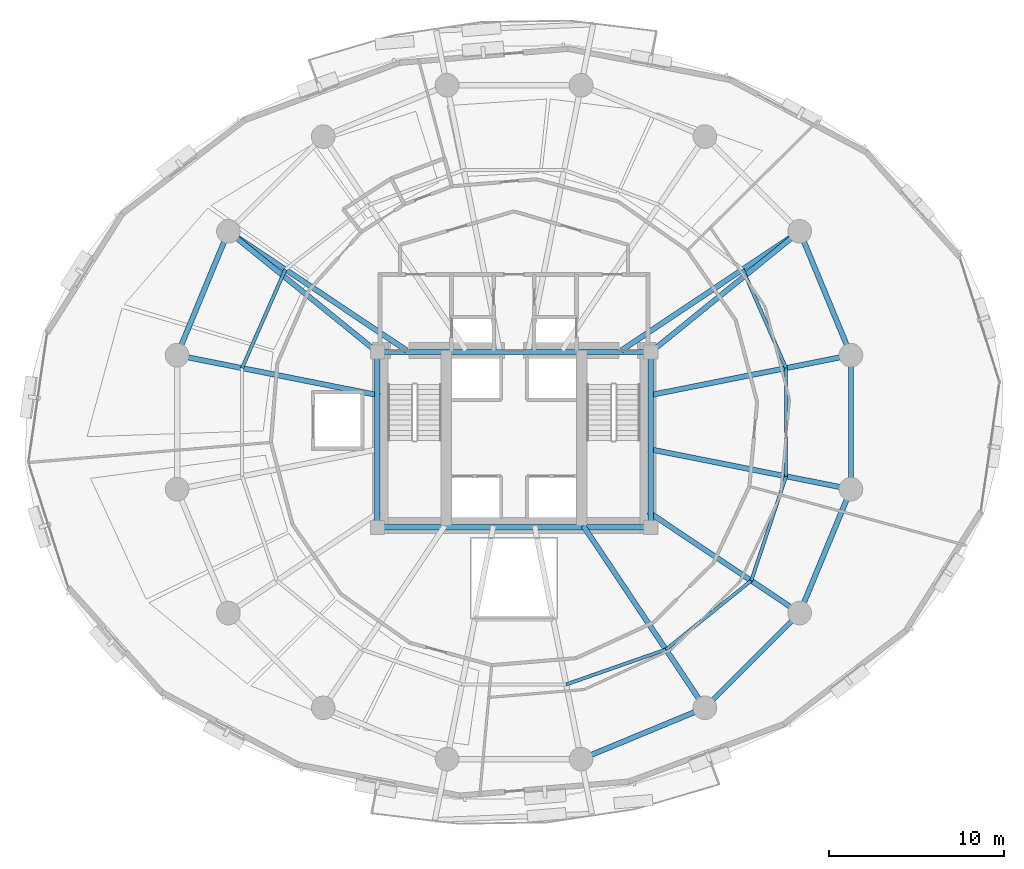
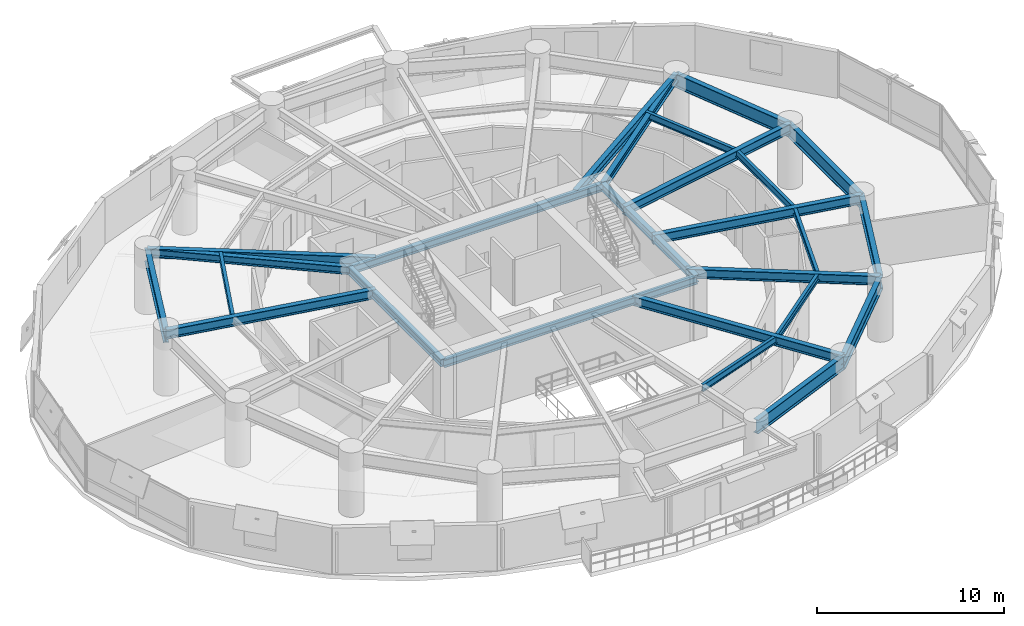
# One storey, part 7 of 16: 25 beams.
"""IFC4 building model written with IfcOpenShell, lengths in metres."""

from ifc_helpers import new_model, si_unit, direction, frame, origin, origin_2d, place, context, subcontext, project, spatial, i_section, extrude, material, material_profile, profile_set, type_object, element, save


model = new_model("IFC4")

# Units and contexts
model_context = context("Model", 3, precision=1e-05, world=origin(), true_north=direction((0.0, 1.0)))
body_context = subcontext(model_context, "Body", "Model", "MODEL_VIEW")
ifc_project = project(units=[si_unit("LENGTHUNIT", "METRE"), si_unit("AREAUNIT", "SQUARE_METRE"), si_unit("VOLUMEUNIT", "CUBIC_METRE"), si_unit("PLANEANGLEUNIT", "RADIAN"), si_unit("MASSUNIT", "GRAM", prefix="KILO"), si_unit("THERMODYNAMICTEMPERATUREUNIT", "KELVIN"), si_unit("POWERUNIT", "WATT")], contexts=[model_context])

# Site, building, storey
site_placement = place(None, origin())
site = spatial("IfcSite", under=ifc_project, at=site_placement, CompositionType="ELEMENT")
building_placement = place(site_placement, origin())
building = spatial("IfcBuilding", under=site, at=building_placement, Name="Ocrelia Relay Tower", CompositionType="ELEMENT")
storey_placement = place(building_placement, frame((0.0, 0.0, 51.0)))
storey = spatial("IfcBuildingStorey", under=building, at=storey_placement, Name="L11", CompositionType="ELEMENT", Elevation=51.0)

# Beams
ifc_material = material(Name="Steel S355", Category="steel")
ifc_material_profile_1 = material_profile(ifc_material, i_section(OverallWidth=0.300048828125, OverallDepth=0.5, WebThickness=0.014404296875, FlangeThickness=0.028076171875, FilletRadius=0.027099609375, at=origin_2d()), Name="HEB 500")
ifc_profile_set_1 = profile_set([ifc_material_profile_1], Name="Steel S355")
beam_type_1 = type_object("IfcBeamType", Name="BM-HEB500", PredefinedType="BEAM", material=ifc_profile_set_1)
for number, where, z_axis, x_axis, name in (
    (1, (26.199951171875, 20.0, 3.669921875), (1.0, 0.0, 0.0), (0.0, 1.0, 0.0), "L11 Core Pilaster Tie Beam S"),
    (2, (26.199951171875, 30.0, 3.669921875), (1.0, 0.0, 0.0), (0.0, 1.0, 0.0), "L11 Core Pilaster Tie Beam N"),
):
    element("IfcBeam", number, at=place(storey_placement, frame(where, z_axis=z_axis, x_axis=x_axis)), inside=storey, type_object=beam_type_1, Name=name, PredefinedType="BEAM", context=body_context, shape_type="SweptSolid", body=[
        extrude(i_section(OverallWidth=0.300048828125, OverallDepth=0.5, WebThickness=0.014404296875, FlangeThickness=0.028076171875, FilletRadius=0.027099609375, at=origin_2d()), origin(), (0.0, 0.0, 1.0), 15.60009765625),
    ])
for number, where, z_axis, x_axis, name in (
    (3, (26.199951171875, 20.0, 3.669921875), (0.0, 1.0, 0.0), (-1.0, 0.0, 0.0), "L11 Core Pilaster Tie Beam W"),
    (4, (41.800048828125, 20.0, 3.669921875), (0.0, 1.0, 0.0), (-1.0, 0.0, 0.0), "L11 Core Pilaster Tie Beam E"),
):
    element("IfcBeam", number, at=place(storey_placement, frame(where, z_axis=z_axis, x_axis=x_axis)), inside=storey, type_object=beam_type_1, Name=name, PredefinedType="BEAM", context=body_context, shape_type="SweptSolid", body=[
        extrude(i_section(OverallWidth=0.300048828125, OverallDepth=0.5, WebThickness=0.014404296875, FlangeThickness=0.028076171875, FilletRadius=0.027099609375, at=origin_2d()), origin(), (0.0, 0.0, 1.0), 10.0),
    ])
for number, where, z_axis, x_axis, name in (
    (5, (50.296875, 36.88916015625, 3.669921875), (-0.776762830896, -0.629793223637, 0.0), (0.629793223637, -0.776762830896, 0.0), "L11 Core Pilaster Frame Tie Beam PT02"),
    (6, (17.703125, 36.88916015625, 3.669921875), (0.776762830896, -0.629793223637, 0.0), (0.629793223637, 0.776762830896, 0.0), "L11 Core Pilaster Frame Tie Beam PT07"),
):
    element("IfcBeam", number, at=place(storey_placement, frame(where, z_axis=z_axis, x_axis=x_axis)), inside=storey, type_object=beam_type_1, Name=name, PredefinedType="BEAM", context=body_context, shape_type="SweptSolid", body=[
        extrude(i_section(OverallWidth=0.300048828125, OverallDepth=0.5, WebThickness=0.014404296875, FlangeThickness=0.028076171875, FilletRadius=0.027099609375, at=origin_2d()), origin(), (0.0, 0.0, 1.0), 10.938720703125),
    ])
ifc_material_profile_2 = material_profile(ifc_material, i_section(OverallWidth=0.300048828125, OverallDepth=0.60009765625, WebThickness=0.015380859375, FlangeThickness=0.030029296875, FilletRadius=0.027099609375, at=origin_2d()), Name="HEB 600")
ifc_profile_set_2 = profile_set([ifc_material_profile_2], Name="Steel S355")
beam_type_2 = type_object("IfcBeamType", Name="BM-HEB600", PredefinedType="BEAM", material=ifc_profile_set_2)
beam_1_placement = place(storey_placement, frame((53.223388671875, 29.82373046875, 3.6201171875), z_axis=(-0.980786324446, -0.195085073187, 0.0), x_axis=(0.195085073187, -0.980786324446, 0.0)))
element("IfcBeam", 7, at=beam_1_placement, inside=storey, type_object=beam_type_2, Name="L11 Radial Floor Girder R01", PredefinedType="BEAM", context=body_context, shape_type="SweptSolid", body=[
    extrude(i_section(OverallWidth=0.300048828125, OverallDepth=0.60009765625, WebThickness=0.015380859375, FlangeThickness=0.030029296875, FilletRadius=0.027099609375, at=origin_2d()), origin(), (0.0, 0.0, 1.0), 11.794921875),
])
for number, where, z_axis, x_axis, name in (
    (8, (50.296875, 36.88916015625, 3.6201171875), (-0.831471581268, -0.555567286243, 0.0), (0.555567286243, -0.831471581268, 0.0), "L11 Radial Floor Girder R02"),
    (9, (17.703125, 36.88916015625, 3.6201171875), (0.831471581268, -0.555567286243, 0.0), (0.555567286243, 0.831471581268, 0.0), "L11 Radial Floor Girder R07"),
):
    element("IfcBeam", number, at=place(storey_placement, frame(where, z_axis=z_axis, x_axis=x_axis)), inside=storey, type_object=beam_type_2, Name=name, PredefinedType="BEAM", context=body_context, shape_type="SweptSolid", body=[
        extrude(i_section(OverallWidth=0.300048828125, OverallDepth=0.60009765625, WebThickness=0.015380859375, FlangeThickness=0.030029296875, FilletRadius=0.027099609375, at=origin_2d()), origin(), (0.0, 0.0, 1.0), 12.211181640625),
    ])
beam_2_placement = place(storey_placement, frame((14.776611328125, 29.82373046875, 3.6201171875), z_axis=(0.980786938484, -0.195081986098, 0.0), x_axis=(0.195081986098, 0.980786938484, 0.0)))
element("IfcBeam", 10, at=beam_2_placement, inside=storey, type_object=beam_type_2, Name="L11 Radial Floor Girder R08", PredefinedType="BEAM", context=body_context, shape_type="SweptSolid", body=[
    extrude(i_section(OverallWidth=0.300048828125, OverallDepth=0.60009765625, WebThickness=0.015380859375, FlangeThickness=0.030029296875, FilletRadius=0.027099609375, at=origin_2d()), origin(), (0.0, 0.0, 1.0), 11.80517578125),
])
beam_3_placement = place(storey_placement, frame((44.88916015625, 9.703125, 3.6201171875), z_axis=(-0.555569912646, 0.831469826369, 0.0), x_axis=(-0.831469826369, -0.555569912646, 0.0)))
element("IfcBeam", 11, at=beam_3_placement, inside=storey, type_object=beam_type_2, Name="L11 Radial Floor Girder R14", PredefinedType="BEAM", context=body_context, shape_type="SweptSolid", body=[
    extrude(i_section(OverallWidth=0.300048828125, OverallDepth=0.60009765625, WebThickness=0.015380859375, FlangeThickness=0.030029296875, FilletRadius=0.027099609375, at=origin_2d()), origin(), (0.0, 0.0, 1.0), 12.498046875),
])
beam_4_placement = place(storey_placement, frame((50.296875, 15.11083984375, 3.6201171875), z_axis=(-0.831475246583, 0.555561800631, 0.0), x_axis=(-0.555561800631, -0.831475246583, 0.0)))
element("IfcBeam", 12, at=beam_4_placement, inside=storey, type_object=beam_type_2, Name="L11 Radial Floor Girder R15", PredefinedType="BEAM", context=body_context, shape_type="SweptSolid", body=[
    extrude(i_section(OverallWidth=0.300048828125, OverallDepth=0.60009765625, WebThickness=0.015380859375, FlangeThickness=0.030029296875, FilletRadius=0.027099609375, at=origin_2d()), origin(), (0.0, 0.0, 1.0), 10.393310546875),
])
beam_5_placement = place(storey_placement, frame((53.223388671875, 22.17626953125, 3.6201171875), z_axis=(-0.980786324446, 0.195085073187, 0.0), x_axis=(-0.195085073187, -0.980786324446, 0.0)))
element("IfcBeam", 13, at=beam_5_placement, inside=storey, type_object=beam_type_2, Name="L11 Radial Floor Girder R16", PredefinedType="BEAM", context=body_context, shape_type="SweptSolid", body=[
    extrude(i_section(OverallWidth=0.300048828125, OverallDepth=0.60009765625, WebThickness=0.015380859375, FlangeThickness=0.030029296875, FilletRadius=0.027099609375, at=origin_2d()), origin(), (0.0, 0.0, 1.0), 11.794921875),
])
ifc_material_profile_3 = material_profile(ifc_material, i_section(OverallWidth=0.300048828125, OverallDepth=0.89990234375, WebThickness=0.0185546875, FlangeThickness=0.034912109375, FilletRadius=0.030029296875, at=origin_2d()), Name="HEB 900")
ifc_profile_set_3 = profile_set([ifc_material_profile_3], Name="Steel S355")
beam_type_3 = type_object("IfcBeamType", Name="BM-HEB900", PredefinedType="BEAM", material=ifc_profile_set_3)
for number, where, z_axis, x_axis, name in (
    (14, (53.223388671875, 29.82373046875, 3.469970703125), (-0.382674154222, 0.923883375589, 0.0), (-0.923883375589, -0.382674154222, 0.0), "L11 Perimeter Spandrel Beam S01"),
    (15, (17.703125, 36.88916015625, 3.469970703125), (-0.382674154222, -0.923883375589, 0.0), (0.923883375589, -0.382674154222, 0.0), "L11 Perimeter Spandrel Beam S07"),
    (16, (37.82373046875, 6.776611328125, 3.469970703125), (0.923883375589, 0.382674154222, 0.0), (-0.382674154222, 0.923883375589, 0.0), "L11 Perimeter Spandrel Beam S13"),
):
    element("IfcBeam", number, at=place(storey_placement, frame(where, z_axis=z_axis, x_axis=x_axis)), inside=storey, type_object=beam_type_3, Name=name, PredefinedType="BEAM", context=body_context, shape_type="SweptSolid", body=[
        extrude(i_section(OverallWidth=0.300048828125, OverallDepth=0.89990234375, WebThickness=0.0185546875, FlangeThickness=0.034912109375, FilletRadius=0.030029296875, at=origin_2d()), origin(), (0.0, 0.0, 1.0), 7.6474609375),
    ])
beam_6_placement = place(storey_placement, frame((44.88916015625, 9.703125, 3.469970703125), z_axis=(0.707106781187, 0.707106781187, 0.0), x_axis=(-0.707106781187, 0.707106781187, 0.0)))
element("IfcBeam", 17, at=beam_6_placement, inside=storey, type_object=beam_type_3, Name="L11 Perimeter Spandrel Beam S14", PredefinedType="BEAM", context=body_context, shape_type="SweptSolid", body=[
    extrude(i_section(OverallWidth=0.300048828125, OverallDepth=0.89990234375, WebThickness=0.0185546875, FlangeThickness=0.034912109375, FilletRadius=0.030029296875, at=origin_2d()), origin(), (0.0, 0.0, 1.0), 7.647705078125),
])
for number, where, z_axis, x_axis, name in (
    (18, (50.296875, 15.11083984375, 3.469970703125), (0.382674154222, 0.923883375589, 0.0), (-0.923883375589, 0.382674154222, 0.0), "L11 Perimeter Spandrel Beam S15"),
    (19, (53.223388671875, 22.17626953125, 3.469970703125), (0.0, 1.0, 0.0), (-1.0, 0.0, 0.0), "L11 Perimeter Spandrel Beam S16"),
):
    element("IfcBeam", number, at=place(storey_placement, frame(where, z_axis=z_axis, x_axis=x_axis)), inside=storey, type_object=beam_type_3, Name=name, PredefinedType="BEAM", context=body_context, shape_type="SweptSolid", body=[
        extrude(i_section(OverallWidth=0.300048828125, OverallDepth=0.89990234375, WebThickness=0.0185546875, FlangeThickness=0.034912109375, FilletRadius=0.030029296875, at=origin_2d()), origin(), (0.0, 0.0, 1.0), 7.6474609375),
    ])
ifc_material_profile_4 = material_profile(ifc_material, i_section(OverallWidth=0.18994140625, OverallDepth=0.449951171875, WebThickness=0.009521484375, FlangeThickness=0.0146484375, FilletRadius=0.02099609375, at=origin_2d()), Name="IPE 450")
ifc_profile_set_4 = profile_set([ifc_material_profile_4], Name="Steel S355")
beam_type_4 = type_object("IfcBeamType", Name="BM-IPE450", PredefinedType="JOIST", material=ifc_profile_set_4)
beam_7_placement = place(storey_placement, frame((49.521484375, 29.08740234375, 3.695068359375), z_axis=(-0.402201104053, 0.915551348586, 0.0), x_axis=(-0.915551348586, -0.402201104053, 0.0)))
element("IfcBeam", 20, at=beam_7_placement, inside=storey, type_object=beam_type_4, Name="L11 Secondary Floor Joist J01", PredefinedType="JOIST", context=body_context, shape_type="SweptSolid", body=[
    extrude(i_section(OverallWidth=0.18994140625, OverallDepth=0.449951171875, WebThickness=0.009521484375, FlangeThickness=0.0146484375, FilletRadius=0.02099609375, at=origin_2d()), origin(), (0.0, 0.0, 1.0), 6.150146484375),
])
beam_8_placement = place(storey_placement, frame((20.9521484375, 34.71826171875, 3.695068359375), z_axis=(-0.401739185135, -0.915754130281, 0.0), x_axis=(0.915754130281, -0.401739185135, 0.0)))
element("IfcBeam", 21, at=beam_8_placement, inside=storey, type_object=beam_type_4, Name="L11 Secondary Floor Joist J07", PredefinedType="JOIST", context=body_context, shape_type="SweptSolid", body=[
    extrude(i_section(OverallWidth=0.18994140625, OverallDepth=0.449951171875, WebThickness=0.009521484375, FlangeThickness=0.0146484375, FilletRadius=0.02099609375, at=origin_2d()), origin(), (0.0, 0.0, 1.0), 6.1494140625),
])
beam_9_placement = place(storey_placement, frame((36.97607421875, 11.03857421875, 3.695068359375), z_axis=(0.943957429675, 0.330067221882, 0.0), x_axis=(-0.330067221882, 0.943957429675, 0.0)))
element("IfcBeam", 22, at=beam_9_placement, inside=storey, type_object=beam_type_4, Name="L11 Secondary Floor Joist J13", PredefinedType="JOIST", context=body_context, shape_type="SweptSolid", body=[
    extrude(i_section(OverallWidth=0.18994140625, OverallDepth=0.449951171875, WebThickness=0.009521484375, FlangeThickness=0.0146484375, FilletRadius=0.02099609375, at=origin_2d()), origin(), (0.0, 0.0, 1.0), 6.029052734375),
])
beam_10_placement = place(storey_placement, frame((42.667236328125, 13.028564453125, 3.695068359375), z_axis=(0.777854562422, 0.628444333031, 0.0), x_axis=(-0.628444333031, 0.777854562422, 0.0)))
element("IfcBeam", 23, at=beam_10_placement, inside=storey, type_object=beam_type_4, Name="L11 Secondary Floor Joist J14", PredefinedType="JOIST", context=body_context, shape_type="SweptSolid", body=[
    extrude(i_section(OverallWidth=0.18994140625, OverallDepth=0.449951171875, WebThickness=0.009521484375, FlangeThickness=0.0146484375, FilletRadius=0.02099609375, at=origin_2d()), origin(), (0.0, 0.0, 1.0), 6.25341796875),
])
beam_11_placement = place(storey_placement, frame((47.531494140625, 16.95849609375, 3.695068359375), z_axis=(0.31698600471, 0.948430215049, 0.0), x_axis=(-0.948430215049, 0.31698600471, 0.0)))
element("IfcBeam", 24, at=beam_11_placement, inside=storey, type_object=beam_type_4, Name="L11 Secondary Floor Joist J15", PredefinedType="JOIST", context=body_context, shape_type="SweptSolid", body=[
    extrude(i_section(OverallWidth=0.18994140625, OverallDepth=0.449951171875, WebThickness=0.009521484375, FlangeThickness=0.0146484375, FilletRadius=0.02099609375, at=origin_2d()), origin(), (0.0, 0.0, 1.0), 6.27783203125),
])
beam_12_placement = place(storey_placement, frame((49.521484375, 22.91259765625, 3.695068359375), z_axis=(0.0, 1.0, 0.0), x_axis=(-1.0, 0.0, 0.0)))
element("IfcBeam", 25, at=beam_12_placement, inside=storey, type_object=beam_type_4, Name="L11 Secondary Floor Joist J16", PredefinedType="JOIST", context=body_context, shape_type="SweptSolid", body=[
    extrude(i_section(OverallWidth=0.18994140625, OverallDepth=0.449951171875, WebThickness=0.009521484375, FlangeThickness=0.0146484375, FilletRadius=0.02099609375, at=origin_2d()), origin(), (0.0, 0.0, 1.0), 6.1748046875),
])

save(model, "model.ifc")
